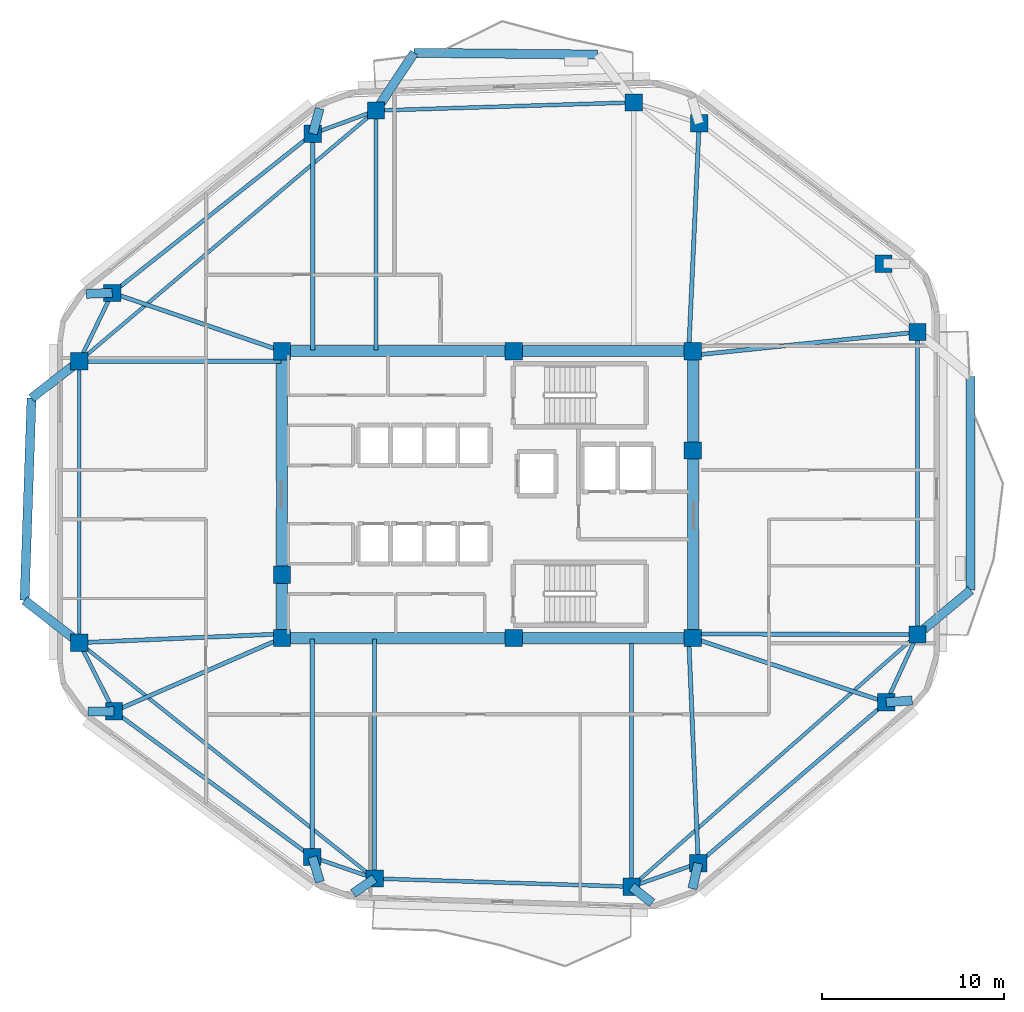
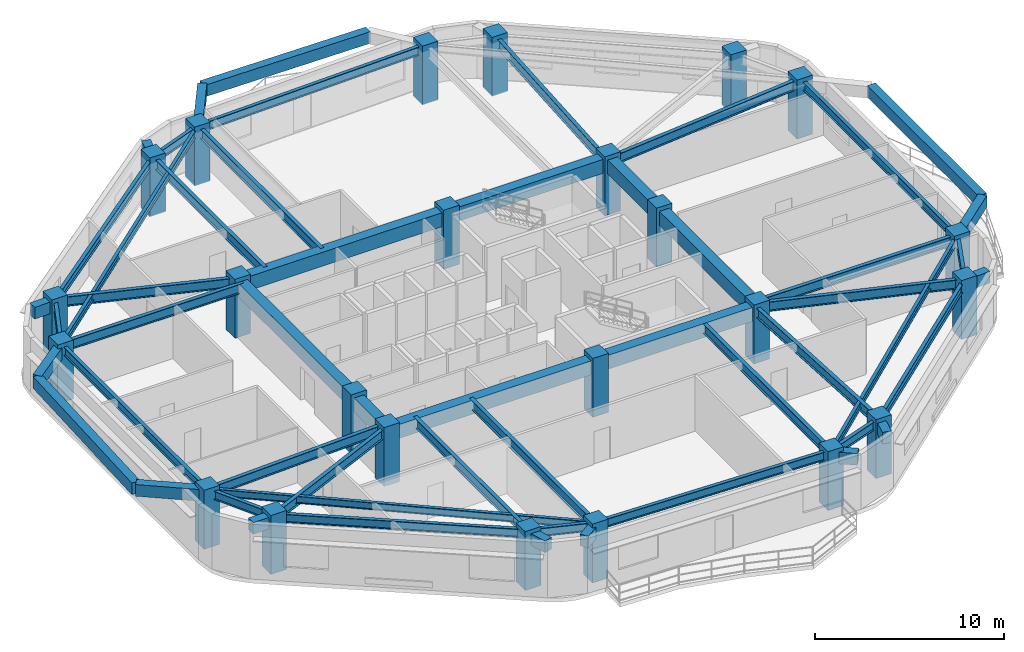
# One storey, part 1 of 8: 53 beams, 24 columns.
"""IFC4 building model written with IfcOpenShell, lengths in metres."""

from ifc_helpers import new_model, si_unit, direction, frame, origin, origin_2d, place, context, subcontext, project, spatial, rectangle, i_section, extrude, material, material_profile, profile_set, type_object, element, save


model = new_model("IFC4")

# Units and contexts
model_context = context("Model", 3, precision=1e-05, world=origin(), true_north=direction((0.0, 1.0)))
body_context = subcontext(model_context, "Body", "Model", "MODEL_VIEW")
ifc_project = project(units=[si_unit("LENGTHUNIT", "METRE"), si_unit("AREAUNIT", "SQUARE_METRE"), si_unit("VOLUMEUNIT", "CUBIC_METRE"), si_unit("PLANEANGLEUNIT", "RADIAN"), si_unit("MASSUNIT", "GRAM", prefix="KILO")], contexts=[model_context])

# Site, building, storey
site_placement = place(None, origin())
site = spatial("IfcSite", under=ifc_project, at=site_placement, CompositionType="ELEMENT")
building_placement = place(site_placement, origin())
building = spatial("IfcBuilding", under=site, at=building_placement, Name="Zulverin Broadcast Headquarters", CompositionType="ELEMENT")
storey_placement = place(building_placement, frame((0.0, 0.0, 182.0)))
storey = spatial("IfcBuildingStorey", under=building, at=storey_placement, Name="L46", CompositionType="ELEMENT", Elevation=182.0)

# Columns
ifc_material_1 = material(Name="Concrete C50/60", Category="concrete")
ifc_material_profile_1 = material_profile(ifc_material_1, rectangle(XDim=0.949951171875, YDim=0.949951171875, at=origin_2d()), Name="Concrete C50/60", Category="concrete")
ifc_profile_set_1 = profile_set([ifc_material_profile_1], Name="Concrete C50/60")
column_type_1 = type_object("IfcColumnType", Name="COL-RC-950", PredefinedType="COLUMN", material=ifc_profile_set_1)
for number, where, z_axis, x_axis, name in (
    (1, (30.80859375, 4.12744140625, 0.0), (0.0, 0.0, 1.0), (1.0, 0.0, 0.0), "L46 Perimeter Column T01"),
    (2, (44.909912109375, 3.68017578125, 0.0), (0.0, 0.0, 1.0), (1.0, 0.0, 0.0), "L46 Perimeter Column T02"),
    (3, (48.569580078125, 4.967041015625, 0.0), (0.0, 0.0, 1.0), (1.0, 0.0, 0.0), "L46 Perimeter Column T03"),
    (4, (58.886962890625, 13.798095703125, 0.0), (0.0, 0.0, 1.0), (1.0, 0.0, 0.0), "L46 Perimeter Column T04"),
    (5, (60.60009765625, 17.519287109375, 0.0), (0.0, 0.0, 1.0), (1.0, 0.0, 0.0), "L46 Perimeter Column T05"),
    (6, (60.60009765625, 34.12158203125, 0.0), (0.0, 0.0, 1.0), (1.0, 0.0, 0.0), "L46 Perimeter Column T06"),
    (7, (58.738037109375, 37.877685546875, 0.0), (0.0, 0.0, 1.0), (1.0, 0.0, 0.0), "L46 Perimeter Column T07"),
    (8, (48.62158203125, 45.574951171875, 0.0), (0.0, 0.0, 1.0), (1.0, 0.0, 0.0), "L46 Perimeter Column T08"),
    (9, (45.027587890625, 46.7236328125, 0.0), (0.0, 0.0, 1.0), (1.0, 0.0, 0.0), "L46 Perimeter Column T09"),
    (10, (30.882080078125, 46.27490234375, 0.0), (0.0, 0.0, 1.0), (1.0, 0.0, 0.0), "L46 Perimeter Column T10"),
    (11, (27.416259765625, 45.00439453125, 0.0), (0.0, 0.0, 1.0), (1.0, 0.0, 0.0), "L46 Perimeter Column T11"),
    (12, (16.40869140625, 36.26806640625, 0.0), (0.0, 0.0, 1.0), (1.0, 0.0, 0.0), "L46 Perimeter Column T12"),
    (13, (14.60009765625, 32.523193359375, 0.0), (0.0, 0.0, 1.0), (1.0, 0.0, 0.0), "L46 Perimeter Column T13"),
    (14, (14.60009765625, 17.072021484375, 0.0), (0.0, 0.0, 1.0), (1.0, 0.0, 0.0), "L46 Perimeter Column T14"),
    (15, (16.50537109375, 13.306884765625, 0.0), (0.0, 0.0, 1.0), (1.0, 0.0, 0.0), "L46 Perimeter Column T15"),
    (16, (27.38720703125, 5.309814453125, 0.0), (0.0, 0.0, 1.0), (1.0, 0.0, 0.0), "L46 Perimeter Column T16"),
):
    element("IfcColumn", number, at=place(storey_placement, frame(where, z_axis=z_axis, x_axis=x_axis)), inside=storey, type_object=column_type_1, Name=name, PredefinedType="COLUMN", context=body_context, shape_type="SweptSolid", body=[
        extrude(rectangle(XDim=0.949951171875, YDim=0.949951171875, at=origin_2d()), origin(), (0.0, 0.0, 1.0), 3.800048828125),
    ])
ifc_material_profile_2 = material_profile(ifc_material_1, rectangle(XDim=0.949951171875, YDim=0.949951171875, at=origin_2d()), Name="Concrete C50/60", Category="concrete")
ifc_profile_set_2 = profile_set([ifc_material_profile_2], Name="Concrete C50/60")
column_type_2 = type_object("IfcColumnType", Name="PIL-RC-950", PredefinedType="PILASTER", material=ifc_profile_set_2)
for number, where, z_axis, x_axis, name in (
    (17, (25.72509765625, 17.324951171875, 0.0), (0.0, 0.0, 1.0), (1.0, 0.0, 0.0), "L46 Core Pilaster K01"),
    (18, (38.449951171875, 17.324951171875, 0.0), (0.0, 0.0, 1.0), (1.0, 0.0, 0.0), "L46 Core Pilaster K02"),
    (19, (48.27490234375, 17.324951171875, 0.0), (0.0, 0.0, 1.0), (1.0, 0.0, 0.0), "L46 Core Pilaster K03"),
    (20, (48.27490234375, 27.6201171875, 0.0), (0.0, 0.0, 1.0), (1.0, 0.0, 0.0), "L46 Core Pilaster K04"),
    (21, (48.27490234375, 33.074951171875, 0.0), (0.0, 0.0, 1.0), (1.0, 0.0, 0.0), "L46 Core Pilaster K05"),
    (22, (38.449951171875, 33.074951171875, 0.0), (0.0, 0.0, 1.0), (1.0, 0.0, 0.0), "L46 Core Pilaster K06"),
    (23, (25.72509765625, 33.074951171875, 0.0), (0.0, 0.0, 1.0), (1.0, 0.0, 0.0), "L46 Core Pilaster K07"),
    (24, (25.72509765625, 20.800048828125, 0.0), (0.0, 0.0, 1.0), (1.0, 0.0, 0.0), "L46 Core Pilaster K08"),
):
    element("IfcColumn", number, at=place(storey_placement, frame(where, z_axis=z_axis, x_axis=x_axis)), inside=storey, type_object=column_type_2, Name=name, PredefinedType="PILASTER", context=body_context, shape_type="SweptSolid", body=[
        extrude(rectangle(XDim=0.949951171875, YDim=0.949951171875, at=origin_2d()), origin(), (0.0, 0.0, 1.0), 3.800048828125),
    ])

# Beams
ifc_material_2 = material(Name="Concrete C60/75", Category="concrete")
ifc_material_profile_3 = material_profile(ifc_material_2, rectangle(XDim=0.60009765625, YDim=0.89990234375, at=origin_2d()), Name="Concrete C60/75", Category="concrete")
ifc_profile_set_3 = profile_set([ifc_material_profile_3], Name="Concrete C60/75")
beam_type_1 = type_object("IfcBeamType", Name="BM-CB-600x900", PredefinedType="LINTEL", material=ifc_profile_set_3)
beam_1_placement = place(storey_placement, frame((25.72509765625, 17.324951171875, 3.090087890625), z_axis=(1.0, 0.0, 0.0), x_axis=(0.0, 1.0, 0.0)))
element("IfcBeam", 25, at=beam_1_placement, inside=storey, type_object=beam_type_1, Name="L46 Core Coupling Girder K01-K02", PredefinedType="LINTEL", context=body_context, shape_type="SweptSolid", body=[
    extrude(rectangle(XDim=0.60009765625, YDim=0.89990234375, at=origin_2d()), origin(), (0.0, 0.0, 1.0), 12.724853515625),
])
beam_2_placement = place(storey_placement, frame((38.449951171875, 17.324951171875, 3.090087890625), z_axis=(1.0, 0.0, 0.0), x_axis=(0.0, 1.0, 0.0)))
element("IfcBeam", 26, at=beam_2_placement, inside=storey, type_object=beam_type_1, Name="L46 Core Coupling Girder K02-K03", PredefinedType="LINTEL", context=body_context, shape_type="SweptSolid", body=[
    extrude(rectangle(XDim=0.60009765625, YDim=0.89990234375, at=origin_2d()), origin(), (0.0, 0.0, 1.0), 9.824951171875),
])
beam_3_placement = place(storey_placement, frame((48.27490234375, 17.324951171875, 3.090087890625), z_axis=(0.0, 1.0, 0.0), x_axis=(-1.0, 0.0, 0.0)))
element("IfcBeam", 27, at=beam_3_placement, inside=storey, type_object=beam_type_1, Name="L46 Core Coupling Girder K03-K04", PredefinedType="LINTEL", context=body_context, shape_type="SweptSolid", body=[
    extrude(rectangle(XDim=0.60009765625, YDim=0.89990234375, at=origin_2d()), origin(), (0.0, 0.0, 1.0), 10.295166015625),
])
beam_4_placement = place(storey_placement, frame((48.27490234375, 27.6201171875, 3.090087890625), z_axis=(0.0, 1.0, 0.0), x_axis=(-1.0, 0.0, 0.0)))
element("IfcBeam", 28, at=beam_4_placement, inside=storey, type_object=beam_type_1, Name="L46 Core Coupling Girder K04-K05", PredefinedType="LINTEL", context=body_context, shape_type="SweptSolid", body=[
    extrude(rectangle(XDim=0.60009765625, YDim=0.89990234375, at=origin_2d()), origin(), (0.0, 0.0, 1.0), 5.454833984375),
])
beam_5_placement = place(storey_placement, frame((48.27490234375, 33.074951171875, 3.090087890625), z_axis=(-1.0, 0.0, 0.0), x_axis=(0.0, -1.0, 0.0)))
element("IfcBeam", 29, at=beam_5_placement, inside=storey, type_object=beam_type_1, Name="L46 Core Coupling Girder K05-K06", PredefinedType="LINTEL", context=body_context, shape_type="SweptSolid", body=[
    extrude(rectangle(XDim=0.60009765625, YDim=0.89990234375, at=origin_2d()), origin(), (0.0, 0.0, 1.0), 9.824951171875),
])
beam_6_placement = place(storey_placement, frame((38.449951171875, 33.074951171875, 3.090087890625), z_axis=(-1.0, 0.0, 0.0), x_axis=(0.0, -1.0, 0.0)))
element("IfcBeam", 30, at=beam_6_placement, inside=storey, type_object=beam_type_1, Name="L46 Core Coupling Girder K06-K07", PredefinedType="LINTEL", context=body_context, shape_type="SweptSolid", body=[
    extrude(rectangle(XDim=0.60009765625, YDim=0.89990234375, at=origin_2d()), origin(), (0.0, 0.0, 1.0), 12.724853515625),
])
beam_7_placement = place(storey_placement, frame((25.72509765625, 33.074951171875, 3.090087890625), z_axis=(0.0, -1.0, 0.0), x_axis=(1.0, 0.0, 0.0)))
element("IfcBeam", 31, at=beam_7_placement, inside=storey, type_object=beam_type_1, Name="L46 Core Coupling Girder K07-K08", PredefinedType="LINTEL", context=body_context, shape_type="SweptSolid", body=[
    extrude(rectangle(XDim=0.60009765625, YDim=0.89990234375, at=origin_2d()), origin(), (0.0, 0.0, 1.0), 12.27490234375),
])
beam_8_placement = place(storey_placement, frame((25.72509765625, 20.800048828125, 3.090087890625), z_axis=(0.0, -1.0, 0.0), x_axis=(1.0, 0.0, 0.0)))
element("IfcBeam", 32, at=beam_8_placement, inside=storey, type_object=beam_type_1, Name="L46 Core Coupling Girder K08-K01", PredefinedType="LINTEL", context=body_context, shape_type="SweptSolid", body=[
    extrude(rectangle(XDim=0.60009765625, YDim=0.89990234375, at=origin_2d()), origin(), (0.0, 0.0, 1.0), 3.47509765625),
])
ifc_material_3 = material(Name="Concrete C40/50", Category="concrete")
ifc_material_profile_4 = material_profile(ifc_material_3, rectangle(XDim=0.5, YDim=0.75, at=origin_2d()), Name="Concrete C40/50", Category="concrete")
ifc_profile_set_4 = profile_set([ifc_material_profile_4], Name="Concrete C40/50")
beam_type_2 = type_object("IfcBeamType", Name="BM-RC-500x750", PredefinedType="BEAM", material=ifc_profile_set_4)
beam_9_placement = place(storey_placement, frame((30.80859375, 4.12744140625, 3.1650390625), z_axis=(-0.822689690684, -0.568490697235, 0.0), x_axis=(0.568490697235, -0.822689690684, 0.0)))
element("IfcBeam", 33, at=beam_9_placement, inside=storey, type_object=beam_type_2, Name="L47 Plate Overhang Back-Spanned Beam OVR-01", PredefinedType="BEAM", context=body_context, shape_type="SweptSolid", body=[
    extrude(rectangle(XDim=0.5, YDim=0.75, at=origin_2d()), origin(), (0.0, 0.0, 1.0), 1.43017578125),
])
beam_10_placement = place(storey_placement, frame((44.909912109375, 3.68017578125, 3.1650390625), z_axis=(0.784900247321, -0.619622144339, 0.0), x_axis=(0.619622144339, 0.784900247321, 0.0)))
element("IfcBeam", 34, at=beam_10_placement, inside=storey, type_object=beam_type_2, Name="L47 Plate Overhang Back-Spanned Beam OVR-02", PredefinedType="BEAM", context=body_context, shape_type="SweptSolid", body=[
    extrude(rectangle(XDim=0.5, YDim=0.75, at=origin_2d()), origin(), (0.0, 0.0, 1.0), 1.429931640625),
])
for number, where, z_axis, x_axis, name in (
    (35, (48.569580078125, 4.967041015625, 3.1650390625), (-0.224497908308, -0.974474570815, 0.0), (0.974474570815, -0.224497908308, 0.0), "L47 Plate Overhang Back-Spanned Beam OVR-03"),
    (36, (58.886962890625, 13.798095703125, 3.1650390625), (0.997450894981, 0.071356233801, 0.0), (-0.071356233801, 0.997450894981, 0.0), "L47 Plate Overhang Back-Spanned Beam OVR-04"),
    (37, (27.416259765625, 45.00439453125, 3.1650390625), (0.260328526912, 0.965520097189, 0.0), (-0.965520097189, 0.260328526912, 0.0), "L47 Plate Overhang Back-Spanned Beam OVR-11"),
):
    element("IfcBeam", number, at=place(storey_placement, frame(where, z_axis=z_axis, x_axis=x_axis)), inside=storey, type_object=beam_type_2, Name=name, PredefinedType="BEAM", context=body_context, shape_type="SweptSolid", body=[
        extrude(rectangle(XDim=0.5, YDim=0.75, at=origin_2d()), origin(), (0.0, 0.0, 1.0), 1.43017578125),
    ])
for number, where, z_axis, x_axis, name in (
    (38, (16.40869140625, 36.26806640625, 3.1650390625), (-0.999411057508, -0.034315275463, 0.0), (0.034315275463, -0.999411057508, 0.0), "L47 Plate Overhang Back-Spanned Beam OVR-12"),
    (39, (16.50537109375, 13.306884765625, 3.1650390625), (-0.999996268726, -0.002731763753, 0.0), (0.002731763753, -0.999996268726, 0.0), "L47 Plate Overhang Back-Spanned Beam OVR-15"),
):
    element("IfcBeam", number, at=place(storey_placement, frame(where, z_axis=z_axis, x_axis=x_axis)), inside=storey, type_object=beam_type_2, Name=name, PredefinedType="BEAM", context=body_context, shape_type="SweptSolid", body=[
        extrude(rectangle(XDim=0.5, YDim=0.75, at=origin_2d()), origin(), (0.0, 0.0, 1.0), 1.429931640625),
    ])
beam_11_placement = place(storey_placement, frame((27.38720703125, 5.309814453125, 3.1650390625), z_axis=(0.296184429368, -0.955130767905, 0.0), x_axis=(0.955130767905, 0.296184429368, 0.0)))
element("IfcBeam", 40, at=beam_11_placement, inside=storey, type_object=beam_type_2, Name="L47 Plate Overhang Back-Spanned Beam OVR-16", PredefinedType="BEAM", context=body_context, shape_type="SweptSolid", body=[
    extrude(rectangle(XDim=0.5, YDim=0.75, at=origin_2d()), origin(), (0.0, 0.0, 1.0), 1.43017578125),
])
beam_12_placement = place(storey_placement, frame((60.60009765625, 17.519287109375, 3.1650390625), z_axis=(0.768400300007, 0.639969514078, 0.0), x_axis=(-0.639969514078, 0.768400300007, 0.0)))
element("IfcBeam", 41, at=beam_12_placement, inside=storey, type_object=beam_type_2, Name="L47 Balcony Column-Framed Cantilever BAL_E-1", PredefinedType="BEAM", context=body_context, shape_type="SweptSolid", body=[
    extrude(rectangle(XDim=0.5, YDim=0.75, at=origin_2d()), origin(), (0.0, 0.0, 1.0), 3.800048828125),
])
beam_13_placement = place(storey_placement, frame((63.52001953125, 19.951171875, 3.1650390625), z_axis=(0.0, 1.0, 0.0), x_axis=(-1.0, 0.0, 0.0)))
element("IfcBeam", 42, at=beam_13_placement, inside=storey, type_object=beam_type_2, Name="L47 Balcony Outer Edge Trimmer Beam BAL_E", PredefinedType="BEAM", context=body_context, shape_type="SweptSolid", body=[
    extrude(rectangle(XDim=0.5, YDim=0.75, at=origin_2d()), origin(), (0.0, 0.0, 1.0), 11.738525390625),
])
beam_14_placement = place(storey_placement, frame((30.882080078125, 46.27490234375, 3.1650390625), z_axis=(0.551998960416, 0.833844798329, 0.0), x_axis=(-0.833844798329, 0.551998960416, 0.0)))
element("IfcBeam", 43, at=beam_14_placement, inside=storey, type_object=beam_type_2, Name="L47 Balcony Column-Framed Cantilever BAL_N-2", PredefinedType="BEAM", context=body_context, shape_type="SweptSolid", body=[
    extrude(rectangle(XDim=0.5, YDim=0.75, at=origin_2d()), origin(), (0.0, 0.0, 1.0), 3.800048828125),
])
beam_15_placement = place(storey_placement, frame((43.0380859375, 49.3505859375, 3.1650390625), z_axis=(-0.999957241865, 0.009247401858, 0.0), x_axis=(-0.009247401858, -0.999957241865, 0.0)))
element("IfcBeam", 44, at=beam_15_placement, inside=storey, type_object=beam_type_2, Name="L47 Balcony Outer Edge Trimmer Beam BAL_N", PredefinedType="BEAM", context=body_context, shape_type="SweptSolid", body=[
    extrude(rectangle(XDim=0.5, YDim=0.75, at=origin_2d()), origin(), (0.0, 0.0, 1.0), 10.058837890625),
])
beam_16_placement = place(storey_placement, frame((14.60009765625, 32.523193359375, 3.1650390625), z_axis=(-0.790639723591, -0.612281656985, 0.0), x_axis=(0.612281656985, -0.790639723591, 0.0)))
element("IfcBeam", 45, at=beam_16_placement, inside=storey, type_object=beam_type_2, Name="L47 Balcony Column-Framed Cantilever BAL_W-1", PredefinedType="BEAM", context=body_context, shape_type="SweptSolid", body=[
    extrude(rectangle(XDim=0.5, YDim=0.75, at=origin_2d()), origin(), (0.0, 0.0, 1.0), 3.31396484375),
])
beam_17_placement = place(storey_placement, frame((14.60009765625, 17.072021484375, 3.1650390625), z_axis=(-0.790637422513, 0.612284628356, 0.0), x_axis=(-0.612284628356, -0.790637422513, 0.0)))
element("IfcBeam", 46, at=beam_17_placement, inside=storey, type_object=beam_type_2, Name="L47 Balcony Column-Framed Cantilever BAL_W-2", PredefinedType="BEAM", context=body_context, shape_type="SweptSolid", body=[
    extrude(rectangle(XDim=0.5, YDim=0.75, at=origin_2d()), origin(), (0.0, 0.0, 1.0), 3.800048828125),
])
beam_18_placement = place(storey_placement, frame((11.97998046875, 30.494140625, 3.1650390625), z_axis=(-0.034612996338, -0.999400790716, 0.0), x_axis=(0.999400790716, -0.034612996338, 0.0)))
element("IfcBeam", 47, at=beam_18_placement, inside=storey, type_object=beam_type_2, Name="L47 Balcony Outer Edge Trimmer Beam BAL_W", PredefinedType="BEAM", context=body_context, shape_type="SweptSolid", body=[
    extrude(rectangle(XDim=0.5, YDim=0.75, at=origin_2d()), origin(), (0.0, 0.0, 1.0), 11.10205078125),
])
ifc_material_4 = material(Name="Structural steel S355JR", Category="steel")
ifc_material_profile_5 = material_profile(ifc_material_4, i_section(OverallWidth=0.19287109375, OverallDepth=0.46728515625, WebThickness=0.011474609375, FlangeThickness=0.01953125, at=origin_2d()), Name="Structural steel S355JR", Category="steel")
ifc_profile_set_5 = profile_set([ifc_material_profile_5], Name="Structural steel S355JR")
beam_type_3 = type_object("IfcBeamType", Name="BM-UB-457", PredefinedType="JOIST", material=ifc_profile_set_5)
beam_19_placement = place(storey_placement, frame((44.909912109375, 3.68017578125, 3.306396484375), z_axis=(0.74996043981, 0.661482682102, 0.0), x_axis=(-0.661482682102, 0.74996043981, 0.0)))
element("IfcBeam", 48, at=beam_19_placement, inside=storey, type_object=beam_type_3, Name="L46 Chordal Floor Joist J-01", PredefinedType="JOIST", context=body_context, shape_type="SweptSolid", body=[
    extrude(i_section(OverallWidth=0.19287109375, OverallDepth=0.46728515625, WebThickness=0.011474609375, FlangeThickness=0.01953125, at=origin_2d()), origin(), (0.0, 0.0, 1.0), 20.92138671875),
])
beam_20_placement = place(storey_placement, frame((30.882080078125, 46.27490234375, 3.306396484375), z_axis=(-0.763972566446, -0.645248725468, 0.0), x_axis=(0.645248725468, -0.763972566446, 0.0)))
element("IfcBeam", 49, at=beam_20_placement, inside=storey, type_object=beam_type_3, Name="L46 Chordal Floor Joist J-03", PredefinedType="JOIST", context=body_context, shape_type="SweptSolid", body=[
    extrude(i_section(OverallWidth=0.19287109375, OverallDepth=0.46728515625, WebThickness=0.011474609375, FlangeThickness=0.01953125, at=origin_2d()), origin(), (0.0, 0.0, 1.0), 21.312255859375),
])
beam_21_placement = place(storey_placement, frame((14.60009765625, 17.072021484375, 3.306396484375), z_axis=(0.781390996609, -0.624041753746, 0.0), x_axis=(0.624041753746, 0.781390996609, 0.0)))
element("IfcBeam", 50, at=beam_21_placement, inside=storey, type_object=beam_type_3, Name="L46 Chordal Floor Joist J-04", PredefinedType="JOIST", context=body_context, shape_type="SweptSolid", body=[
    extrude(i_section(OverallWidth=0.19287109375, OverallDepth=0.46728515625, WebThickness=0.011474609375, FlangeThickness=0.01953125, at=origin_2d()), origin(), (0.0, 0.0, 1.0), 20.7431640625),
])
ifc_material_profile_6 = material_profile(ifc_material_4, i_section(OverallWidth=0.2119140625, OverallDepth=0.54443359375, WebThickness=0.0126953125, FlangeThickness=0.021240234375, at=origin_2d()), Name="Structural steel S355JR", Category="steel")
ifc_profile_set_6 = profile_set([ifc_material_profile_6], Name="Structural steel S355JR")
beam_type_4 = type_object("IfcBeamType", Name="BM-UB-533", PredefinedType="SPANDREL", material=ifc_profile_set_6)
beam_22_placement = place(storey_placement, frame((30.80859375, 4.12744140625, 3.267578125), z_axis=(0.999497363437, -0.031702058031, 0.0), x_axis=(0.031702058031, 0.999497363437, 0.0)))
element("IfcBeam", 51, at=beam_22_placement, inside=storey, type_object=beam_type_4, Name="L46 Perimeter Spandrel Beam SP-01", PredefinedType="SPANDREL", context=body_context, shape_type="SweptSolid", body=[
    extrude(i_section(OverallWidth=0.2119140625, OverallDepth=0.54443359375, WebThickness=0.0126953125, FlangeThickness=0.021240234375, at=origin_2d()), origin(), (0.0, 0.0, 1.0), 14.1083984375),
])
beam_23_placement = place(storey_placement, frame((44.909912109375, 3.68017578125, 3.267578125), z_axis=(0.943376593622, 0.331723684121, 0.0), x_axis=(-0.331723684121, 0.943376593622, 0.0)))
element("IfcBeam", 52, at=beam_23_placement, inside=storey, type_object=beam_type_4, Name="L46 Perimeter Spandrel Beam SP-02", PredefinedType="SPANDREL", context=body_context, shape_type="SweptSolid", body=[
    extrude(i_section(OverallWidth=0.2119140625, OverallDepth=0.54443359375, WebThickness=0.0126953125, FlangeThickness=0.021240234375, at=origin_2d()), origin(), (0.0, 0.0, 1.0), 3.87939453125),
])
beam_24_placement = place(storey_placement, frame((48.569580078125, 4.967041015625, 3.267578125), z_axis=(0.759708170965, 0.650264173217, 0.0), x_axis=(-0.650264173217, 0.759708170965, 0.0)))
element("IfcBeam", 53, at=beam_24_placement, inside=storey, type_object=beam_type_4, Name="L46 Perimeter Spandrel Beam SP-03", PredefinedType="SPANDREL", context=body_context, shape_type="SweptSolid", body=[
    extrude(i_section(OverallWidth=0.2119140625, OverallDepth=0.54443359375, WebThickness=0.0126953125, FlangeThickness=0.021240234375, at=origin_2d()), origin(), (0.0, 0.0, 1.0), 13.580810546875),
])
beam_25_placement = place(storey_placement, frame((58.886962890625, 13.798095703125, 3.267578125), z_axis=(0.418184975358, 0.90836189175, 0.0), x_axis=(-0.90836189175, 0.418184975358, 0.0)))
element("IfcBeam", 54, at=beam_25_placement, inside=storey, type_object=beam_type_4, Name="L46 Perimeter Spandrel Beam SP-04", PredefinedType="SPANDREL", context=body_context, shape_type="SweptSolid", body=[
    extrude(i_section(OverallWidth=0.2119140625, OverallDepth=0.54443359375, WebThickness=0.0126953125, FlangeThickness=0.021240234375, at=origin_2d()), origin(), (0.0, 0.0, 1.0), 4.0966796875),
])
beam_26_placement = place(storey_placement, frame((60.60009765625, 17.519287109375, 3.267578125), z_axis=(0.0, 1.0, 0.0), x_axis=(-1.0, 0.0, 0.0)))
element("IfcBeam", 55, at=beam_26_placement, inside=storey, type_object=beam_type_4, Name="L46 Perimeter Spandrel Beam SP-05", PredefinedType="SPANDREL", context=body_context, shape_type="SweptSolid", body=[
    extrude(i_section(OverallWidth=0.2119140625, OverallDepth=0.54443359375, WebThickness=0.0126953125, FlangeThickness=0.021240234375, at=origin_2d()), origin(), (0.0, 0.0, 1.0), 16.602294921875),
])
beam_27_placement = place(storey_placement, frame((45.027587890625, 46.7236328125, 3.267578125), z_axis=(-0.999497221833, -0.031706522156, 0.0), x_axis=(0.031706522156, -0.999497221833, 0.0)))
element("IfcBeam", 56, at=beam_27_placement, inside=storey, type_object=beam_type_4, Name="L46 Perimeter Spandrel Beam SP-09", PredefinedType="SPANDREL", context=body_context, shape_type="SweptSolid", body=[
    extrude(i_section(OverallWidth=0.2119140625, OverallDepth=0.54443359375, WebThickness=0.0126953125, FlangeThickness=0.021240234375, at=origin_2d()), origin(), (0.0, 0.0, 1.0), 14.152587890625),
])
beam_28_placement = place(storey_placement, frame((30.882080078125, 46.27490234375, 3.267578125), z_axis=(-0.938901965426, -0.344184687805, 0.0), x_axis=(0.344184687805, -0.938901965426, 0.0)))
element("IfcBeam", 57, at=beam_28_placement, inside=storey, type_object=beam_type_4, Name="L46 Perimeter Spandrel Beam SP-10", PredefinedType="SPANDREL", context=body_context, shape_type="SweptSolid", body=[
    extrude(i_section(OverallWidth=0.2119140625, OverallDepth=0.54443359375, WebThickness=0.0126953125, FlangeThickness=0.021240234375, at=origin_2d()), origin(), (0.0, 0.0, 1.0), 3.69140625),
])
beam_29_placement = place(storey_placement, frame((27.416259765625, 45.00439453125, 3.267578125), z_axis=(-0.783283263401, -0.621664965457, 0.0), x_axis=(0.621664965457, -0.783283263401, 0.0)))
element("IfcBeam", 58, at=beam_29_placement, inside=storey, type_object=beam_type_4, Name="L46 Perimeter Spandrel Beam SP-11", PredefinedType="SPANDREL", context=body_context, shape_type="SweptSolid", body=[
    extrude(i_section(OverallWidth=0.2119140625, OverallDepth=0.54443359375, WebThickness=0.0126953125, FlangeThickness=0.021240234375, at=origin_2d()), origin(), (0.0, 0.0, 1.0), 14.05322265625),
])
beam_30_placement = place(storey_placement, frame((16.40869140625, 36.26806640625, 3.267578125), z_axis=(-0.434890248034, -0.900483465792, 0.0), x_axis=(0.900483465792, -0.434890248034, 0.0)))
element("IfcBeam", 59, at=beam_30_placement, inside=storey, type_object=beam_type_4, Name="L46 Perimeter Spandrel Beam SP-12", PredefinedType="SPANDREL", context=body_context, shape_type="SweptSolid", body=[
    extrude(i_section(OverallWidth=0.2119140625, OverallDepth=0.54443359375, WebThickness=0.0126953125, FlangeThickness=0.021240234375, at=origin_2d()), origin(), (0.0, 0.0, 1.0), 4.15869140625),
])
beam_31_placement = place(storey_placement, frame((14.60009765625, 32.523193359375, 3.267578125), z_axis=(0.0, -1.0, 0.0), x_axis=(1.0, 0.0, 0.0)))
element("IfcBeam", 60, at=beam_31_placement, inside=storey, type_object=beam_type_4, Name="L46 Perimeter Spandrel Beam SP-13", PredefinedType="SPANDREL", context=body_context, shape_type="SweptSolid", body=[
    extrude(i_section(OverallWidth=0.2119140625, OverallDepth=0.54443359375, WebThickness=0.0126953125, FlangeThickness=0.021240234375, at=origin_2d()), origin(), (0.0, 0.0, 1.0), 15.451171875),
])
beam_32_placement = place(storey_placement, frame((14.60009765625, 17.072021484375, 3.267578125), z_axis=(0.451512947895, -0.892264567201, 0.0), x_axis=(0.892264567201, 0.451512947895, 0.0)))
element("IfcBeam", 61, at=beam_32_placement, inside=storey, type_object=beam_type_4, Name="L46 Perimeter Spandrel Beam SP-14", PredefinedType="SPANDREL", context=body_context, shape_type="SweptSolid", body=[
    extrude(i_section(OverallWidth=0.2119140625, OverallDepth=0.54443359375, WebThickness=0.0126953125, FlangeThickness=0.021240234375, at=origin_2d()), origin(), (0.0, 0.0, 1.0), 4.2197265625),
])
beam_33_placement = place(storey_placement, frame((16.50537109375, 13.306884765625, 3.267578125), z_axis=(0.805802234061, -0.592184734338, 0.0), x_axis=(0.592184734338, 0.805802234061, 0.0)))
element("IfcBeam", 62, at=beam_33_placement, inside=storey, type_object=beam_type_4, Name="L46 Perimeter Spandrel Beam SP-15", PredefinedType="SPANDREL", context=body_context, shape_type="SweptSolid", body=[
    extrude(i_section(OverallWidth=0.2119140625, OverallDepth=0.54443359375, WebThickness=0.0126953125, FlangeThickness=0.021240234375, at=origin_2d()), origin(), (0.0, 0.0, 1.0), 13.50439453125),
])
beam_34_placement = place(storey_placement, frame((27.38720703125, 5.309814453125, 3.267578125), z_axis=(0.945152732867, -0.326628705956, 0.0), x_axis=(0.326628705956, 0.945152732867, 0.0)))
element("IfcBeam", 63, at=beam_34_placement, inside=storey, type_object=beam_type_4, Name="L46 Perimeter Spandrel Beam SP-16", PredefinedType="SPANDREL", context=body_context, shape_type="SweptSolid", body=[
    extrude(i_section(OverallWidth=0.2119140625, OverallDepth=0.54443359375, WebThickness=0.0126953125, FlangeThickness=0.021240234375, at=origin_2d()), origin(), (0.0, 0.0, 1.0), 3.619873046875),
])
ifc_material_profile_7 = material_profile(ifc_material_4, i_section(OverallWidth=0.230224609375, OverallDepth=0.6171875, WebThickness=0.01318359375, FlangeThickness=0.022216796875, at=origin_2d()), Name="Structural steel S355JR", Category="steel")
ifc_profile_set_7 = profile_set([ifc_material_profile_7], Name="Structural steel S355JR")
beam_type_5 = type_object("IfcBeamType", Name="BM-UB-610", PredefinedType="BEAM", material=ifc_profile_set_7)
beam_35_placement = place(storey_placement, frame((30.80859375, 17.27490234375, 3.2314453125), z_axis=(0.0, -1.0, 0.0), x_axis=(1.0, 0.0, 0.0)))
element("IfcBeam", 64, at=beam_35_placement, inside=storey, type_object=beam_type_5, Name="L46 Radial Primary Floor Beam RB-01", PredefinedType="BEAM", context=body_context, shape_type="SweptSolid", body=[
    extrude(i_section(OverallWidth=0.230224609375, OverallDepth=0.6171875, WebThickness=0.01318359375, FlangeThickness=0.022216796875, at=origin_2d()), origin(), (0.0, 0.0, 1.0), 13.1474609375),
])
beam_36_placement = place(storey_placement, frame((44.909912109375, 17.27490234375, 3.2314453125), z_axis=(0.0, -1.0, 0.0), x_axis=(1.0, 0.0, 0.0)))
element("IfcBeam", 65, at=beam_36_placement, inside=storey, type_object=beam_type_5, Name="L46 Radial Primary Floor Beam RB-02", PredefinedType="BEAM", context=body_context, shape_type="SweptSolid", body=[
    extrude(i_section(OverallWidth=0.230224609375, OverallDepth=0.6171875, WebThickness=0.01318359375, FlangeThickness=0.022216796875, at=origin_2d()), origin(), (0.0, 0.0, 1.0), 13.5947265625),
])
beam_37_placement = place(storey_placement, frame((48.050048828125, 17.27490234375, 3.2314453125), z_axis=(0.042173778549, -0.99911029041, 0.0), x_axis=(0.99911029041, 0.042173778549, 0.0)))
element("IfcBeam", 66, at=beam_37_placement, inside=storey, type_object=beam_type_5, Name="L46 Radial Primary Floor Beam RB-03", PredefinedType="BEAM", context=body_context, shape_type="SweptSolid", body=[
    extrude(i_section(OverallWidth=0.230224609375, OverallDepth=0.6171875, WebThickness=0.01318359375, FlangeThickness=0.022216796875, at=origin_2d()), origin(), (0.0, 0.0, 1.0), 12.31884765625),
])
beam_38_placement = place(storey_placement, frame((48.27490234375, 17.324951171875, 3.2314453125), z_axis=(0.948964552547, -0.315382748432, 0.0), x_axis=(0.315382748432, 0.948964552547, 0.0)))
element("IfcBeam", 67, at=beam_38_placement, inside=storey, type_object=beam_type_5, Name="L46 Radial Primary Floor Beam RB-04", PredefinedType="BEAM", context=body_context, shape_type="SweptSolid", body=[
    extrude(i_section(OverallWidth=0.230224609375, OverallDepth=0.6171875, WebThickness=0.01318359375, FlangeThickness=0.022216796875, at=origin_2d()), origin(), (0.0, 0.0, 1.0), 11.182861328125),
])
beam_39_placement = place(storey_placement, frame((48.324951171875, 17.550048828125, 3.2314453125), z_axis=(0.999996859956, -0.002506008559, 0.0), x_axis=(0.002506008559, 0.999996859956, 0.0)))
element("IfcBeam", 68, at=beam_39_placement, inside=storey, type_object=beam_type_5, Name="L46 Radial Primary Floor Beam RB-05", PredefinedType="BEAM", context=body_context, shape_type="SweptSolid", body=[
    extrude(i_section(OverallWidth=0.230224609375, OverallDepth=0.6171875, WebThickness=0.01318359375, FlangeThickness=0.022216796875, at=origin_2d()), origin(), (0.0, 0.0, 1.0), 12.275146484375),
])
beam_40_placement = place(storey_placement, frame((48.324951171875, 32.85009765625, 3.2314453125), z_axis=(0.994678169641, 0.103030766473, 0.0), x_axis=(-0.103030766473, 0.994678169641, 0.0)))
element("IfcBeam", 69, at=beam_40_placement, inside=storey, type_object=beam_type_5, Name="L46 Radial Primary Floor Beam RB-06", PredefinedType="BEAM", context=body_context, shape_type="SweptSolid", body=[
    extrude(i_section(OverallWidth=0.230224609375, OverallDepth=0.6171875, WebThickness=0.01318359375, FlangeThickness=0.022216796875, at=origin_2d()), origin(), (0.0, 0.0, 1.0), 12.3408203125),
])
beam_41_placement = place(storey_placement, frame((48.050048828125, 33.125, 3.2314453125), z_axis=(0.045858166026, 0.998947960911, 0.0), x_axis=(-0.998947960911, 0.045858166026, 0.0)))
element("IfcBeam", 70, at=beam_41_placement, inside=storey, type_object=beam_type_5, Name="L46 Radial Primary Floor Beam RB-08", PredefinedType="BEAM", context=body_context, shape_type="SweptSolid", body=[
    extrude(i_section(OverallWidth=0.230224609375, OverallDepth=0.6171875, WebThickness=0.01318359375, FlangeThickness=0.022216796875, at=origin_2d()), origin(), (0.0, 0.0, 1.0), 12.463134765625),
])
beam_42_placement = place(storey_placement, frame((30.882080078125, 33.125, 3.2314453125), z_axis=(0.0, 1.0, 0.0), x_axis=(-1.0, 0.0, 0.0)))
element("IfcBeam", 71, at=beam_42_placement, inside=storey, type_object=beam_type_5, Name="L46 Radial Primary Floor Beam RB-10", PredefinedType="BEAM", context=body_context, shape_type="SweptSolid", body=[
    extrude(i_section(OverallWidth=0.230224609375, OverallDepth=0.6171875, WebThickness=0.01318359375, FlangeThickness=0.022216796875, at=origin_2d()), origin(), (0.0, 0.0, 1.0), 13.14990234375),
])
beam_43_placement = place(storey_placement, frame((27.416259765625, 33.125, 3.2314453125), z_axis=(0.0, 1.0, 0.0), x_axis=(-1.0, 0.0, 0.0)))
element("IfcBeam", 72, at=beam_43_placement, inside=storey, type_object=beam_type_5, Name="L46 Radial Primary Floor Beam RB-11", PredefinedType="BEAM", context=body_context, shape_type="SweptSolid", body=[
    extrude(i_section(OverallWidth=0.230224609375, OverallDepth=0.6171875, WebThickness=0.01318359375, FlangeThickness=0.022216796875, at=origin_2d()), origin(), (0.0, 0.0, 1.0), 11.87939453125),
])
beam_44_placement = place(storey_placement, frame((25.72509765625, 33.074951171875, 3.2314453125), z_axis=(-0.945979621685, 0.324226086793, 0.0), x_axis=(-0.324226086793, -0.945979621685, 0.0)))
element("IfcBeam", 73, at=beam_44_placement, inside=storey, type_object=beam_type_5, Name="L46 Radial Primary Floor Beam RB-12", PredefinedType="BEAM", context=body_context, shape_type="SweptSolid", body=[
    extrude(i_section(OverallWidth=0.230224609375, OverallDepth=0.6171875, WebThickness=0.01318359375, FlangeThickness=0.022216796875, at=origin_2d()), origin(), (0.0, 0.0, 1.0), 9.848388671875),
])
beam_45_placement = place(storey_placement, frame((25.675048828125, 32.523193359375, 3.2314453125), z_axis=(-1.0, 0.0, 0.0), x_axis=(0.0, -1.0, 0.0)))
element("IfcBeam", 74, at=beam_45_placement, inside=storey, type_object=beam_type_5, Name="L46 Radial Primary Floor Beam RB-13", PredefinedType="BEAM", context=body_context, shape_type="SweptSolid", body=[
    extrude(i_section(OverallWidth=0.230224609375, OverallDepth=0.6171875, WebThickness=0.01318359375, FlangeThickness=0.022216796875, at=origin_2d()), origin(), (0.0, 0.0, 1.0), 11.074951171875),
])
beam_46_placement = place(storey_placement, frame((25.675048828125, 17.550048828125, 3.2314453125), z_axis=(-0.999069780306, -0.043122779134, 0.0), x_axis=(0.043122779134, -0.999069780306, 0.0)))
element("IfcBeam", 75, at=beam_46_placement, inside=storey, type_object=beam_type_5, Name="L46 Radial Primary Floor Beam RB-14", PredefinedType="BEAM", context=body_context, shape_type="SweptSolid", body=[
    extrude(i_section(OverallWidth=0.230224609375, OverallDepth=0.6171875, WebThickness=0.01318359375, FlangeThickness=0.022216796875, at=origin_2d()), origin(), (0.0, 0.0, 1.0), 11.085205078125),
])
beam_47_placement = place(storey_placement, frame((25.72509765625, 17.324951171875, 3.2314453125), z_axis=(-0.916724690104, -0.39951951461, 0.0), x_axis=(0.39951951461, -0.916724690104, 0.0)))
element("IfcBeam", 76, at=beam_47_placement, inside=storey, type_object=beam_type_5, Name="L46 Radial Primary Floor Beam RB-15", PredefinedType="BEAM", context=body_context, shape_type="SweptSolid", body=[
    extrude(i_section(OverallWidth=0.230224609375, OverallDepth=0.6171875, WebThickness=0.01318359375, FlangeThickness=0.022216796875, at=origin_2d()), origin(), (0.0, 0.0, 1.0), 10.05712890625),
])
beam_48_placement = place(storey_placement, frame((27.38720703125, 17.27490234375, 3.2314453125), z_axis=(0.0, -1.0, 0.0), x_axis=(1.0, 0.0, 0.0)))
element("IfcBeam", 77, at=beam_48_placement, inside=storey, type_object=beam_type_5, Name="L46 Radial Primary Floor Beam RB-16", PredefinedType="BEAM", context=body_context, shape_type="SweptSolid", body=[
    extrude(i_section(OverallWidth=0.230224609375, OverallDepth=0.6171875, WebThickness=0.01318359375, FlangeThickness=0.022216796875, at=origin_2d()), origin(), (0.0, 0.0, 1.0), 11.965087890625),
])

save(model, "model.ifc")
